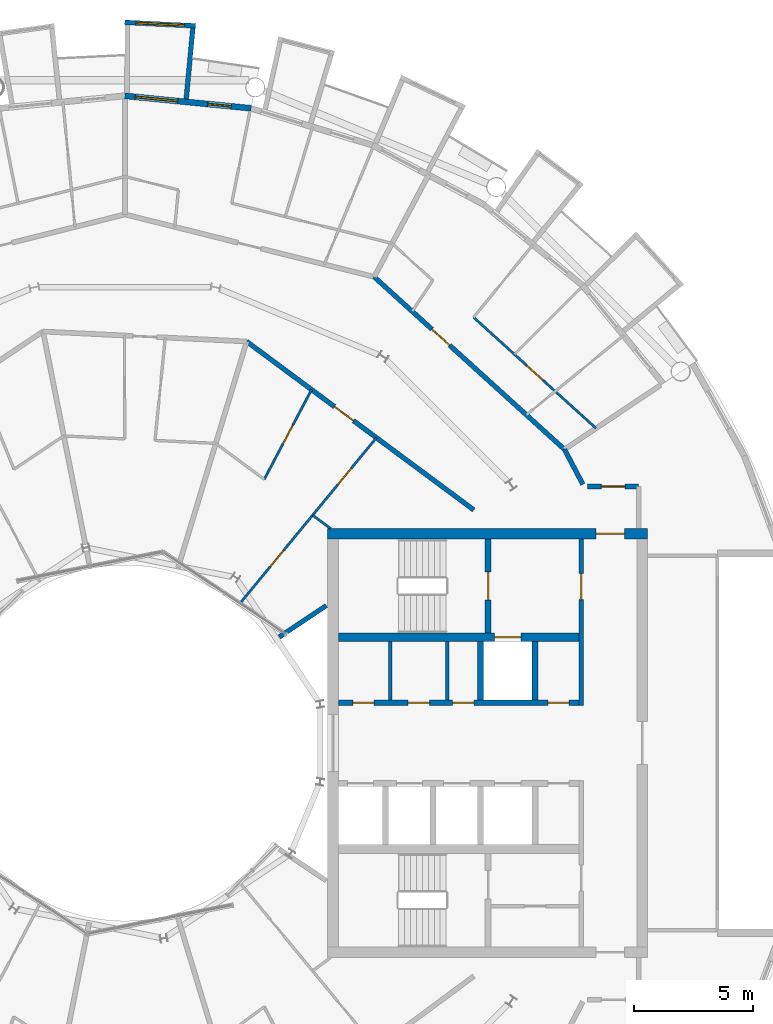
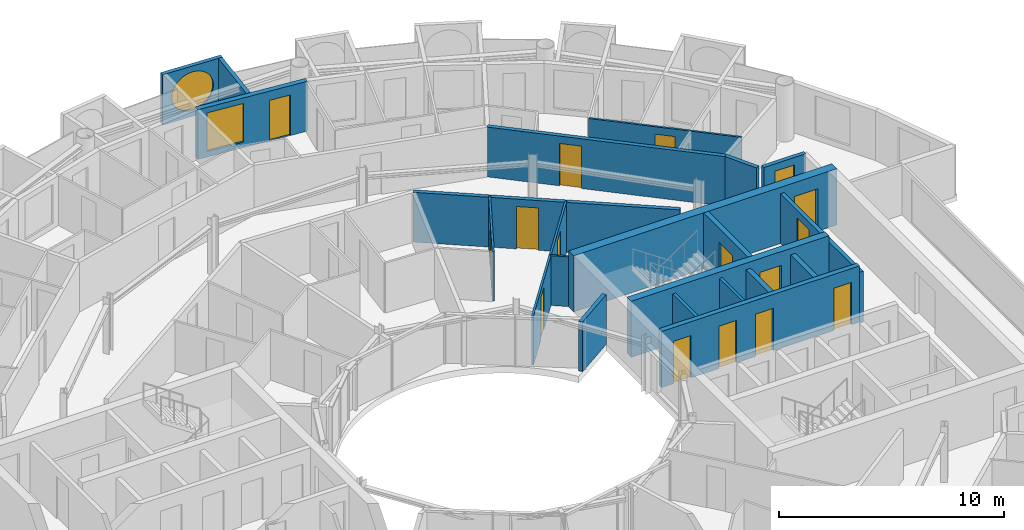
# One storey, part 23 of 29: 21 walls, 16 doors, 2 windows, 18 openings.
"""IFC4 building model written with IfcOpenShell, lengths in metres."""

from ifc_helpers import new_model, si_unit, direction, frame, frame_2d, origin, place, context, subcontext, project, spatial, rectangle, circle, extrude, material, layer, layer_set, type_object, element, fill, save


model = new_model("IFC4")

# Units and contexts
model_context = context("Model", 3, precision=1e-05, world=origin(), true_north=direction((0.0, 1.0)))
body_context = subcontext(model_context, "Body", "Model", "MODEL_VIEW")
ifc_project = project(units=[si_unit("LENGTHUNIT", "METRE"), si_unit("AREAUNIT", "SQUARE_METRE"), si_unit("VOLUMEUNIT", "CUBIC_METRE"), si_unit("PLANEANGLEUNIT", "RADIAN"), si_unit("MASSUNIT", "GRAM", prefix="KILO")], contexts=[model_context])

# Site, building, storey
site_placement = place(None, origin())
site = spatial("IfcSite", under=ifc_project, at=site_placement, CompositionType="ELEMENT")
building_placement = place(site_placement, origin())
building = spatial("IfcBuilding", under=site, at=building_placement, Name="Maasbend Ring Residences", CompositionType="ELEMENT")
storey_placement = place(building_placement, frame((0.0, 0.0, 190.199951171875)))
storey = spatial("IfcBuildingStorey", under=building, at=storey_placement, Name="L54", CompositionType="ELEMENT", Elevation=190.199951171875)

# Wall, openings, doors
ifc_material_1 = material(Name="Concrete C50/60", Category="concrete")
ifc_layer_1 = layer(ifc_material_1, 0.25)
ifc_layer_set_1 = layer_set([ifc_layer_1], Name="Concrete C50/60")
wall_type_1 = type_object("IfcWallType", Name="CORE WALL 250 C50/60", PredefinedType="SHEAR", material=ifc_layer_set_1)
wall_1_placement = place(storey_placement, frame((9.0, 1.699951171875, 0.0), z_axis=(0.0, 0.0, 1.0), x_axis=(1.0, 0.0, 0.0)))
wall_1 = element("IfcWall", 1, at=wall_1_placement, inside=storey, type_object=wall_type_1, Name="L54 core E wall SPN", PredefinedType="SHEAR", context=body_context, shape_type="SweptSolid", body=[
    extrude(rectangle(XDim=10.14990234375, YDim=0.25, at=frame_2d((5.074951171875, 0.0))), origin(), (0.0, 0.0, 1.0), 3.050048828125),
])
opening_1_placement = place(wall_1_placement, frame((0.612548828125, 0.0, 0.0)))
opening_1 = element("IfcOpeningElement", 2, at=opening_1_placement, cuts=wall_1, Name="Opening D-E5406", PredefinedType="OPENING", context=body_context, shape_type="SweptSolid", body=[
    extrude(rectangle(XDim=0.89990234375, YDim=2.300048828125, at=frame_2d((0.449951171875, 1.14990234375))), frame((0.0, 0.135009765625, 0.0), z_axis=(0.0, -1.0, 0.0), x_axis=(1.0, 0.0, 0.0)), (0.0, 0.0, 1.0), 0.27001953125),
])
opening_2_placement = place(wall_1_placement, frame((2.949951171875, 0.0, 0.0)))
opening_2 = element("IfcOpeningElement", 3, at=opening_2_placement, cuts=wall_1, Name="Opening D-E5407", PredefinedType="OPENING", context=body_context, shape_type="SweptSolid", body=[
    extrude(rectangle(XDim=0.89990234375, YDim=2.300048828125, at=frame_2d((0.449951171875, 1.14990234375))), frame((0.0, 0.135009765625, 0.0), z_axis=(0.0, -1.0, 0.0), x_axis=(1.0, 0.0, 0.0)), (0.0, 0.0, 1.0), 0.27001953125),
])
opening_3_placement = place(wall_1_placement, frame((4.824951171875, 0.0, 0.0)))
opening_3 = element("IfcOpeningElement", 4, at=opening_3_placement, cuts=wall_1, Name="Opening D-E5408", PredefinedType="OPENING", context=body_context, shape_type="SweptSolid", body=[
    extrude(rectangle(XDim=0.89990234375, YDim=2.300048828125, at=frame_2d((0.449951171875, 1.14990234375))), frame((0.0, 0.135009765625, 0.0), z_axis=(0.0, -1.0, 0.0), x_axis=(1.0, 0.0, 0.0)), (0.0, 0.0, 1.0), 0.27001953125),
])
opening_4_placement = place(wall_1_placement, frame((8.83740234375, 0.0, 0.0)))
opening_4 = element("IfcOpeningElement", 5, at=opening_4_placement, cuts=wall_1, Name="Opening D-E5409", PredefinedType="OPENING", context=body_context, shape_type="SweptSolid", body=[
    extrude(rectangle(XDim=0.89990234375, YDim=2.300048828125, at=frame_2d((0.449951171875, 1.14990234375))), frame((0.0, 0.135009765625, 0.0), z_axis=(0.0, -1.0, 0.0), x_axis=(1.0, 0.0, 0.0)), (0.0, 0.0, 1.0), 0.27001953125),
])
ifc_material_2 = material(Name="Steel, powder coated", Category="steel")
door_type_1 = type_object("IfcDoorType", Name="ROOM DOOR 900 X 2300 FD30S", OperationType="NOTDEFINED", PredefinedType="DOOR", material=ifc_material_2)
door_1_placement = place(opening_1_placement, origin())
door_1 = element("IfcDoor", 6, at=door_1_placement, inside=storey, type_object=door_type_1, Name="Room door L54", OperationType="SINGLE_SWING_RIGHT", OverallHeight=2.300048828125, OverallWidth=0.89990234375, PredefinedType="DOOR", context=body_context, shape_type="SweptSolid", body=[
    extrude(rectangle(XDim=0.89990234375, YDim=2.300048828125, at=frame_2d((0.449951171875, 1.14990234375))), frame((0.0, 0.02490234375, 0.0), z_axis=(0.0, -1.0, 0.0), x_axis=(1.0, 0.0, 0.0)), (0.0, 0.0, 1.0), 0.050048828125),
])
fill(opening_1, door_1)
door_2_placement = place(opening_2_placement, origin())
door_2 = element("IfcDoor", 7, at=door_2_placement, inside=storey, type_object=door_type_1, Name="Room door L54", OperationType="SINGLE_SWING_RIGHT", OverallHeight=2.300048828125, OverallWidth=0.89990234375, PredefinedType="DOOR", context=body_context, shape_type="SweptSolid", body=[
    extrude(rectangle(XDim=0.89990234375, YDim=2.300048828125, at=frame_2d((0.449951171875, 1.14990234375))), frame((0.0, 0.02490234375, 0.0), z_axis=(0.0, -1.0, 0.0), x_axis=(1.0, 0.0, 0.0)), (0.0, 0.0, 1.0), 0.050048828125),
])
fill(opening_2, door_2)
door_3_placement = place(opening_3_placement, origin())
door_3 = element("IfcDoor", 8, at=door_3_placement, inside=storey, type_object=door_type_1, Name="Room door L54", OperationType="SINGLE_SWING_LEFT", OverallHeight=2.300048828125, OverallWidth=0.89990234375, PredefinedType="DOOR", context=body_context, shape_type="SweptSolid", body=[
    extrude(rectangle(XDim=0.89990234375, YDim=2.300048828125, at=frame_2d((0.449951171875, 1.14990234375))), frame((0.0, 0.02490234375, 0.0), z_axis=(0.0, -1.0, 0.0), x_axis=(1.0, 0.0, 0.0)), (0.0, 0.0, 1.0), 0.050048828125),
])
fill(opening_3, door_3)
door_4_placement = place(opening_4_placement, origin())
door_4 = element("IfcDoor", 9, at=door_4_placement, inside=storey, type_object=door_type_1, Name="Room door L54", OperationType="SINGLE_SWING_LEFT", OverallHeight=2.300048828125, OverallWidth=0.89990234375, PredefinedType="DOOR", context=body_context, shape_type="SweptSolid", body=[
    extrude(rectangle(XDim=0.89990234375, YDim=2.300048828125, at=frame_2d((0.449951171875, 1.14990234375))), frame((0.0, 0.02490234375, 0.0), z_axis=(0.0, -1.0, 0.0), x_axis=(1.0, 0.0, 0.0)), (0.0, 0.0, 1.0), 0.050048828125),
])
fill(opening_4, door_4)

# Wall, opening, door
wall_2_placement = place(storey_placement, frame((15.324951171875, 4.64990234375, 0.0), z_axis=(0.0, 0.0, 1.0), x_axis=(0.0, 1.0, 0.0)))
wall_2 = element("IfcWall", 10, at=wall_2_placement, inside=storey, type_object=wall_type_1, Name="L54 core E wall STEN", PredefinedType="SHEAR", context=body_context, shape_type="SweptSolid", body=[
    extrude(rectangle(XDim=3.9501953125, YDim=0.25, at=frame_2d((1.97509765625, 0.0))), origin(), (0.0, 0.0, 1.0), 3.050048828125),
])
opening_5_placement = place(wall_2_placement, frame((1.375, 0.0, 0.0)))
opening_5 = element("IfcOpeningElement", 11, at=opening_5_placement, cuts=wall_2, Name="Opening D-E5412", PredefinedType="OPENING", context=body_context, shape_type="SweptSolid", body=[
    extrude(rectangle(XDim=1.199951171875, YDim=2.300048828125, at=frame_2d((0.60009765625, 1.14990234375))), frame((0.0, 0.135009765625, 0.0), z_axis=(0.0, -1.0, 0.0), x_axis=(1.0, 0.0, 0.0)), (0.0, 0.0, 1.0), 0.27001953125),
])
ifc_material_3 = material(Name="Steel, powder coated", Category="steel")
door_type_2 = type_object("IfcDoorType", Name="STAIR DOOR 1200 X 2300 FD60", OperationType="NOTDEFINED", PredefinedType="DOOR", material=ifc_material_3)
door_5_placement = place(opening_5_placement, origin())
door_5 = element("IfcDoor", 12, at=door_5_placement, inside=storey, type_object=door_type_2, Name="Stair door ST-E L54", OperationType="SINGLE_SWING_LEFT", OverallHeight=2.300048828125, OverallWidth=1.199951171875, PredefinedType="DOOR", context=body_context, shape_type="SweptSolid", body=[
    extrude(rectangle(XDim=1.199951171875, YDim=2.300048828125, at=frame_2d((0.60009765625, 1.14990234375))), frame((0.0, 0.02490234375, 0.0), z_axis=(0.0, -1.0, 0.0), x_axis=(1.0, 0.0, 0.0)), (0.0, 0.0, 1.0), 0.050048828125),
])
fill(opening_5, door_5)

ifc_material_4 = material(Name="Concrete C50/60", Category="concrete")
ifc_layer_2 = layer(ifc_material_4, 0.375)
ifc_layer_set_2 = layer_set([ifc_layer_2], Name="Concrete C50/60")
wall_type_2 = type_object("IfcWallType", Name="CORE WALL 375 C50/60", PredefinedType="SHEAR", material=ifc_layer_set_2)
wall_3_placement = place(storey_placement, frame((9.0, 4.46240234375, 0.0), z_axis=(0.0, 0.0, 1.0), x_axis=(1.0, 0.0, 0.0)))
wall_3 = element("IfcWall", 13, at=wall_3_placement, inside=storey, type_object=wall_type_2, Name="L54 core E wall BN", PredefinedType="SHEAR", context=body_context, shape_type="SweptSolid", body=[
    extrude(rectangle(XDim=10.14990234375, YDim=0.375, at=frame_2d((5.074951171875, 0.0))), origin(), (0.0, 0.0, 1.0), 3.050048828125),
])
opening_6_placement = place(wall_3_placement, frame((6.60009765625, 0.0, 0.0)))
opening_6 = element("IfcOpeningElement", 14, at=opening_6_placement, cuts=wall_3, Name="Opening LD-E5401", PredefinedType="OPENING", context=body_context, shape_type="SweptSolid", body=[
    extrude(rectangle(XDim=1.10009765625, YDim=2.300048828125, at=frame_2d((0.550048828125, 1.14990234375))), frame((0.0, 0.197509765625, 0.0), z_axis=(0.0, -1.0, 0.0), x_axis=(1.0, 0.0, 0.0)), (0.0, 0.0, 1.0), 0.39501953125),
])
ifc_material_5 = material(Name="Stainless steel 316", Category="steel")
door_type_3 = type_object("IfcDoorType", Name="LANDING DOOR 1100 X 2300 FD60", OperationType="DOUBLE_DOOR_SLIDING", PredefinedType="DOOR", material=ifc_material_5)
door_6_placement = place(opening_6_placement, origin())
door_6 = element("IfcDoor", 15, at=door_6_placement, inside=storey, type_object=door_type_3, Name="Landing door FF-E L54", OperationType="DOUBLE_DOOR_SLIDING", OverallHeight=2.300048828125, OverallWidth=1.10009765625, PredefinedType="DOOR", context=body_context, shape_type="SweptSolid", body=[
    extrude(rectangle(XDim=1.10009765625, YDim=2.300048828125, at=frame_2d((0.550048828125, 1.14990234375))), frame((0.0, 0.02490234375, 0.0), z_axis=(0.0, -1.0, 0.0), x_axis=(1.0, 0.0, 0.0)), (0.0, 0.0, 1.0), 0.050048828125),
])
fill(opening_6, door_6)

ifc_material_6 = material(Name="Concrete C50/60", Category="concrete")
ifc_layer_3 = layer(ifc_material_6, 0.449951171875)
ifc_layer_set_3 = layer_set([ifc_layer_3], Name="Concrete C50/60")
wall_type_3 = type_object("IfcWallType", Name="CORE WALL 450 C50/60", PredefinedType="SHEAR", material=ifc_layer_set_3)
wall_4_placement = place(storey_placement, frame((22.050048828125, 8.824951171875, 0.0), z_axis=(0.0, 0.0, 1.0), x_axis=(-1.0, 0.0, 0.0)))
wall_4 = element("IfcWall", 16, at=wall_4_placement, inside=storey, type_object=wall_type_3, Name="L54 core E wall PN", PredefinedType="SHEAR", context=body_context, shape_type="SweptSolid", body=[
    extrude(rectangle(XDim=13.5, YDim=0.449951171875, at=frame_2d((6.75, 0.0))), origin(), (0.0, 0.0, 1.0), 3.050048828125),
])
opening_7_placement = place(wall_4_placement, frame((0.97509765625, 0.0, 0.0)))
opening_7 = element("IfcOpeningElement", 17, at=opening_7_placement, cuts=wall_4, Name="Opening D-E5416", PredefinedType="OPENING", context=body_context, shape_type="SweptSolid", body=[
    extrude(rectangle(XDim=1.199951171875, YDim=2.300048828125, at=frame_2d((0.60009765625, 1.14990234375))), frame((0.0, 0.23486328125, 0.0), z_axis=(0.0, -1.0, 0.0), x_axis=(1.0, 0.0, 0.0)), (0.0, 0.0, 1.0), 0.469970703125),
])
ifc_material_7 = material(Name="Steel, powder coated", Category="steel")
door_type_4 = type_object("IfcDoorType", Name="CORRIDOR DOOR 1200 X 2300 FD30S", OperationType="NOTDEFINED", PredefinedType="DOOR", material=ifc_material_7)
door_7_placement = place(opening_7_placement, origin())
door_7 = element("IfcDoor", 18, at=door_7_placement, inside=storey, type_object=door_type_4, Name="Corridor door L54", OperationType="SINGLE_SWING_RIGHT", OverallHeight=2.300048828125, OverallWidth=1.199951171875, PredefinedType="DOOR", context=body_context, shape_type="SweptSolid", body=[
    extrude(rectangle(XDim=1.199951171875, YDim=2.300048828125, at=frame_2d((0.60009765625, 1.14990234375))), frame((0.0, 0.02490234375, 0.0), z_axis=(0.0, -1.0, 0.0), x_axis=(1.0, 0.0, 0.0)), (0.0, 0.0, 1.0), 0.050048828125),
])
fill(opening_7, door_7)

ifc_material_8 = material(Name="Concrete C30/37", Category="concrete")
ifc_layer_4 = layer(ifc_material_8, 0.199951171875)
ifc_layer_set_4 = layer_set([ifc_layer_4], Name="Concrete C30/37")
wall_type_4 = type_object("IfcWallType", Name="CORRIDOR WALL 200 CONCRETE", PredefinedType="PARTITIONING", material=ifc_layer_set_4)
wall_5_placement = place(storey_placement, frame((19.52294921875, 10.824951171875, 0.0), z_axis=(0.0, 0.0, 1.0), x_axis=(1.0, 0.0, 0.0)))
wall_5 = element("IfcWall", 19, at=wall_5_placement, inside=storey, type_object=wall_type_4, Name="U-L54-w094", PredefinedType="PARTITIONING", context=body_context, shape_type="SweptSolid", body=[
    extrude(rectangle(XDim=2.152099609375, YDim=0.199951171875, at=frame_2d((1.076171875, 0.0))), origin(), (0.0, 0.0, 1.0), 2.699951171875),
])
opening_8_placement = place(wall_5_placement, frame((0.575927734375, 0.0, 0.0)))
opening_8 = element("IfcOpeningElement", 20, at=opening_8_placement, cuts=wall_5, Name="Opening D-5474", PredefinedType="OPENING", context=body_context, shape_type="SweptSolid", body=[
    extrude(rectangle(XDim=1.0, YDim=2.300048828125, at=frame_2d((0.5, 1.14990234375))), frame((0.0, 0.10986328125, 0.0), z_axis=(0.0, -1.0, 0.0), x_axis=(1.0, 0.0, 0.0)), (0.0, 0.0, 1.0), 0.219970703125),
])
ifc_material_9 = material(Name="Timber, painted", Category="wood")
door_type_5 = type_object("IfcDoorType", Name="ROOM DOOR 1000 X 2300", OperationType="NOTDEFINED", PredefinedType="DOOR", material=ifc_material_9)
door_8_placement = place(opening_8_placement, origin())
door_8 = element("IfcDoor", 21, at=door_8_placement, inside=storey, type_object=door_type_5, Name="D-5474", OperationType="SINGLE_SWING_LEFT", OverallHeight=2.300048828125, OverallWidth=1.0, PredefinedType="DOOR", context=body_context, shape_type="SweptSolid", body=[
    extrude(rectangle(XDim=1.0, YDim=2.300048828125, at=frame_2d((0.5, 1.14990234375))), frame((0.0, 0.02490234375, 0.0), z_axis=(0.0, -1.0, 0.0), x_axis=(1.0, 0.0, 0.0)), (0.0, 0.0, 1.0), 0.050048828125),
])
fill(opening_8, door_8)

wall_6_placement = place(storey_placement, frame((5.136962890625, 16.93798828125, 0.0), z_axis=(0.0, 0.0, 1.0), x_axis=(0.803240181354, -0.595655278712, 0.0)))
wall_6 = element("IfcWall", 22, at=wall_6_placement, inside=storey, type_object=wall_type_4, Name="U-L54-w102", PredefinedType="PARTITIONING", context=body_context, shape_type="SweptSolid", body=[
    extrude(rectangle(XDim=11.927978515625, YDim=0.199951171875, at=frame_2d((5.9638671875, 0.0))), origin(), (0.0, 0.0, 1.0), 2.699951171875),
])
opening_9_placement = place(wall_6_placement, frame((4.612060546875, 0.0, 0.0)))
opening_9 = element("IfcOpeningElement", 23, at=opening_9_placement, cuts=wall_6, Name="Opening D-5425", PredefinedType="OPENING", context=body_context, shape_type="SweptSolid", body=[
    extrude(rectangle(XDim=1.0, YDim=2.300048828125, at=frame_2d((0.5, 1.14990234375))), frame((0.0, 0.10986328125, 0.0), z_axis=(0.0, -1.0, 0.0), x_axis=(1.0, 0.0, 0.0)), (0.0, 0.0, 1.0), 0.219970703125),
])
ifc_material_10 = material(Name="Timber, fire-rated, painted", Category="wood")
door_type_6 = type_object("IfcDoorType", Name="FLAT ENTRANCE DOOR 1000 X 2300 FIRE-RATED", OperationType="NOTDEFINED", PredefinedType="DOOR", material=ifc_material_10)
door_9_placement = place(opening_9_placement, origin())
door_9 = element("IfcDoor", 24, at=door_9_placement, inside=storey, type_object=door_type_6, Name="D-5425", OperationType="SINGLE_SWING_LEFT", OverallHeight=2.300048828125, OverallWidth=1.0, PredefinedType="DOOR", context=body_context, shape_type="SweptSolid", body=[
    extrude(rectangle(XDim=1.0, YDim=2.300048828125, at=frame_2d((0.5, 1.14990234375))), frame((0.0, 0.02490234375, 0.0), z_axis=(0.0, -1.0, 0.0), x_axis=(1.0, 0.0, 0.0)), (0.0, 0.0, 1.0), 0.050048828125),
])
fill(opening_9, door_9)

wall_7_placement = place(storey_placement, frame((10.511962890625, 19.6669921875, 0.0), z_axis=(0.0, 0.0, 1.0), x_axis=(0.740853508928, -0.671666642248, 0.0)))
wall_7 = element("IfcWall", 25, at=wall_7_placement, inside=storey, type_object=wall_type_4, Name="U-L54-w107", PredefinedType="PARTITIONING", context=body_context, shape_type="SweptSolid", body=[
    extrude(rectangle(XDim=10.840087890625, YDim=0.199951171875, at=frame_2d((5.419921875, 0.0))), origin(), (0.0, 0.0, 1.0), 2.699951171875),
])
opening_10_placement = place(wall_7_placement, frame((3.29296875, 0.0, 0.0)))
opening_10 = element("IfcOpeningElement", 26, at=opening_10_placement, cuts=wall_7, Name="Opening D-5401", PredefinedType="OPENING", context=body_context, shape_type="SweptSolid", body=[
    extrude(rectangle(XDim=1.0, YDim=2.300048828125, at=frame_2d((0.5, 1.14990234375))), frame((0.0, 0.10986328125, 0.0), z_axis=(0.0, -1.0, 0.0), x_axis=(1.0, 0.0, 0.0)), (0.0, 0.0, 1.0), 0.219970703125),
])
door_10_placement = place(opening_10_placement, origin())
door_10 = element("IfcDoor", 27, at=door_10_placement, inside=storey, type_object=door_type_6, Name="D-5401", OperationType="SINGLE_SWING_LEFT", OverallHeight=2.300048828125, OverallWidth=1.0, PredefinedType="DOOR", context=body_context, shape_type="SweptSolid", body=[
    extrude(rectangle(XDim=1.0, YDim=2.300048828125, at=frame_2d((0.5, 1.14990234375))), frame((0.0, 0.02490234375, 0.0), z_axis=(0.0, -1.0, 0.0), x_axis=(1.0, 0.0, 0.0)), (0.0, 0.0, 1.0), 0.050048828125),
])
fill(opening_10, door_10)

# Wall
wall_8_placement = place(storey_placement, frame((18.5419921875, 12.388916015625, 0.0), z_axis=(0.0, 0.0, 1.0), x_axis=(0.465359652486, -0.885121683068, 0.0)))
element("IfcWall", 28, at=wall_8_placement, inside=storey, type_object=wall_type_4, Name="U-L54-w111", PredefinedType="PARTITIONING", context=body_context, shape_type="SweptSolid", body=[
    extrude(rectangle(XDim=1.665283203125, YDim=0.199951171875, at=frame_2d((0.83251953125, 0.0))), origin(), (0.0, 0.0, 1.0), 2.699951171875),
])

# Wall, opening, window
ifc_material_11 = material(Name="Pale anodised aluminium panel", Category="aluminium")
ifc_layer_5 = layer(ifc_material_11, 0.199951171875)
ifc_layer_set_5 = layer_set([ifc_layer_5], Name="EW-BOX")
wall_type_5 = type_object("IfcWallType", Name="EW-BOX", PredefinedType="SOLIDWALL", material=ifc_layer_set_5)
wall_9_placement = place(storey_placement, frame((2.985107421875, 30.2529296875, -0.030029296875), z_axis=(0.0, 0.0, 1.0), x_axis=(-0.998794083011, 0.049095618353, 0.0)))
wall_9 = element("IfcWall", 29, at=wall_9_placement, inside=storey, type_object=wall_type_5, Name="Box front N10", PredefinedType="SOLIDWALL", context=body_context, shape_type="SweptSolid", body=[
    extrude(rectangle(XDim=2.99365234375, YDim=0.199951171875, at=frame_2d((1.496826171875, 0.0))), origin(), (0.0, 0.0, 1.0), 2.72998046875),
])
opening_11_placement = place(wall_9_placement, frame((0.45654296875, 0.0, 0.330078125)))
opening_11 = element("IfcOpeningElement", 30, at=opening_11_placement, cuts=wall_9, Name="Opening W-RD", PredefinedType="OPENING", context=body_context, shape_type="SweptSolid", body=[
    extrude(circle(Radius=1.0400390625, at=frame_2d((1.0400390625, 1.0400390625))), frame((0.0, 0.10986328125, 0.0), z_axis=(0.0, -1.0, 0.0), x_axis=(1.0, 0.0, 0.0)), (0.0, 0.0, 1.0), 0.219970703125),
])
ifc_material_12 = material(Name="Aluminium and clear glass", Category="aluminium")
window_type_1 = type_object("IfcWindowType", Name="W-RD", PartitioningType="SINGLE_PANEL", PredefinedType="WINDOW", material=ifc_material_12)
window_1_placement = place(opening_11_placement, origin())
window_1 = element("IfcWindow", 31, at=window_1_placement, inside=storey, type_object=window_type_1, Name="Round window N10", OverallHeight=2.080078125, OverallWidth=2.080078125, PartitioningType="SINGLE_PANEL", PredefinedType="WINDOW", context=body_context, shape_type="SweptSolid", body=[
    extrude(circle(Radius=1.0400390625, at=frame_2d((1.0400390625, 1.0400390625))), frame((0.0, 0.030029296875, 0.0), z_axis=(0.0, -1.0, 0.0), x_axis=(1.0, 0.0, 0.0)), (0.0, 0.0, 1.0), 0.06005859375),
])
fill(opening_11, window_1)

# Wall
wall_10_placement = place(storey_placement, frame((2.5859375, 27.1708984375, -0.030029296875), z_axis=(0.0, 0.0, 1.0), x_axis=(0.094548432284, 0.995520262954, 0.0)))
element("IfcWall", 32, at=wall_10_placement, inside=storey, type_object=wall_type_5, Name="Box side wall N10 left", PredefinedType="SOLIDWALL", context=body_context, shape_type="SweptSolid", body=[
    extrude(rectangle(XDim=3.005615234375, YDim=0.199951171875, at=frame_2d((1.5029296875, 0.0))), origin(), (0.0, 0.0, 1.0), 2.72998046875),
])

# Wall, openings, door, window
ifc_material_13 = material(Name="Aluminium clad insulated panel", Category="aluminium")
ifc_layer_6 = layer(ifc_material_13, 0.25)
ifc_layer_set_6 = layer_set([ifc_layer_6], Name="EW-GL")
wall_type_6 = type_object("IfcWallType", Name="EW-GL", PredefinedType="SOLIDWALL", material=ifc_layer_set_6)
wall_11_placement = place(storey_placement, frame((5.325927734375, 26.77490234375, 0.0), z_axis=(0.0, 0.0, 1.0), x_axis=(-0.995173996315, 0.098126026407, 0.0)))
wall_11 = element("IfcWall", 33, at=wall_11_placement, inside=storey, type_object=wall_type_6, Name="External wall N05", PredefinedType="SOLIDWALL", context=body_context, shape_type="SweptSolid", body=[
    extrude(rectangle(XDim=5.351806640625, YDim=0.25, at=frame_2d((2.67578125, 0.0))), origin(), (0.0, 0.0, 1.0), 2.699951171875),
])
opening_12_placement = place(wall_11_placement, frame((0.841064453125, 0.0, 0.0)))
opening_12 = element("IfcOpeningElement", 34, at=opening_12_placement, cuts=wall_11, Name="Opening D-LG", PredefinedType="OPENING", context=body_context, shape_type="SweptSolid", body=[
    extrude(rectangle(XDim=1.0, YDim=2.199951171875, at=frame_2d((0.5, 1.10009765625))), frame((0.0, 0.135009765625, 0.0), z_axis=(0.0, -1.0, 0.0), x_axis=(1.0, 0.0, 0.0)), (0.0, 0.0, 1.0), 0.27001953125),
])
opening_13_placement = place(wall_11_placement, frame((3.110595703125, 0.0, 0.300048828125)))
opening_13 = element("IfcOpeningElement", 35, at=opening_13_placement, cuts=wall_11, Name="Opening W-BX", PredefinedType="OPENING", context=body_context, shape_type="SweptSolid", body=[
    extrude(rectangle(XDim=1.800048828125, YDim=2.10009765625, at=frame_2d((0.89990234375, 1.050048828125))), frame((0.0, 0.135009765625, 0.0), z_axis=(0.0, -1.0, 0.0), x_axis=(1.0, 0.0, 0.0)), (0.0, 0.0, 1.0), 0.27001953125),
])
ifc_material_14 = material(Name="Aluminium and clear glass", Category="aluminium")
door_type_7 = type_object("IfcDoorType", Name="D-LG", OperationType="SINGLE_SWING_LEFT", PredefinedType="DOOR", material=ifc_material_14)
door_11_placement = place(opening_12_placement, origin())
door_11 = element("IfcDoor", 36, at=door_11_placement, inside=storey, type_object=door_type_7, Name="Loggia door N09", OperationType="SINGLE_SWING_LEFT", OverallHeight=2.199951171875, OverallWidth=1.0, PredefinedType="DOOR", context=body_context, shape_type="SweptSolid", body=[
    extrude(rectangle(XDim=1.0, YDim=2.199951171875, at=frame_2d((0.5, 1.10009765625))), frame((0.0, 0.02490234375, 0.0), z_axis=(0.0, -1.0, 0.0), x_axis=(1.0, 0.0, 0.0)), (0.0, 0.0, 1.0), 0.050048828125),
])
fill(opening_12, door_11)
ifc_material_15 = material(Name="Aluminium and clear glass", Category="aluminium")
window_type_2 = type_object("IfcWindowType", Name="W-BX", PartitioningType="DOUBLE_PANEL_VERTICAL", PredefinedType="WINDOW", material=ifc_material_15)
window_2_placement = place(opening_13_placement, origin())
window_2 = element("IfcWindow", 37, at=window_2_placement, inside=storey, type_object=window_type_2, Name="Window N10 room to box", OverallHeight=2.10009765625, OverallWidth=1.800048828125, PartitioningType="SINGLE_PANEL", PredefinedType="WINDOW", context=body_context, shape_type="SweptSolid", body=[
    extrude(rectangle(XDim=1.800048828125, YDim=2.10009765625, at=frame_2d((0.89990234375, 1.050048828125))), frame((0.0, 0.030029296875, 0.0), z_axis=(0.0, -1.0, 0.0), x_axis=(1.0, 0.0, 0.0)), (0.0, 0.0, 1.0), 0.06005859375),
])
fill(opening_13, window_2)

# Wall, openings, doors
ifc_material_16 = material(Name="Gypsum board on steel studs", Category="steel")
ifc_layer_7 = layer(ifc_material_16, 0.10009765625)
ifc_layer_set_7 = layer_set([ifc_layer_7], Name="PARTITION 100 GYPSUM")
wall_type_7 = type_object("IfcWallType", Name="PARTITION 100 GYPSUM", PredefinedType="PARTITIONING", material=ifc_layer_set_7)
wall_12_placement = place(storey_placement, frame((4.908935546875, 5.9580078125, 0.0), z_axis=(0.0, 0.0, 1.0), x_axis=(0.635879010442, 0.771788756124, 0.0)))
wall_12 = element("IfcWall", 38, at=wall_12_placement, inside=storey, type_object=wall_type_7, Name="U-L54-w073", PredefinedType="PARTITIONING", context=body_context, shape_type="SweptSolid", body=[
    extrude(rectangle(XDim=8.96728515625, YDim=0.10009765625, at=frame_2d((4.483642578125, 0.0))), origin(), (0.0, 0.0, 1.0), 2.699951171875),
])
opening_14_placement = place(wall_12_placement, frame((6.39990234375, 0.0, 0.0)))
opening_14 = element("IfcOpeningElement", 39, at=opening_14_placement, cuts=wall_12, Name="Opening D-5427", PredefinedType="OPENING", context=body_context, shape_type="SweptSolid", body=[
    extrude(rectangle(XDim=0.89990234375, YDim=2.300048828125, at=frame_2d((0.449951171875, 1.14990234375))), frame((0.0, 0.06005859375, 0.0), z_axis=(0.0, -1.0, 0.0), x_axis=(1.0, 0.0, 0.0)), (0.0, 0.0, 1.0), 0.1201171875),
])
opening_15_placement = place(wall_12_placement, frame((1.9169921875, 0.0, 0.0)))
opening_15 = element("IfcOpeningElement", 40, at=opening_15_placement, cuts=wall_12, Name="Opening D-5428", PredefinedType="OPENING", context=body_context, shape_type="SweptSolid", body=[
    extrude(rectangle(XDim=0.89990234375, YDim=2.300048828125, at=frame_2d((0.449951171875, 1.14990234375))), frame((0.0, 0.06005859375, 0.0), z_axis=(0.0, -1.0, 0.0), x_axis=(1.0, 0.0, 0.0)), (0.0, 0.0, 1.0), 0.1201171875),
])
ifc_material_17 = material(Name="Timber, painted", Category="wood")
door_type_8 = type_object("IfcDoorType", Name="INTERNAL DOOR 900 X 2300", OperationType="NOTDEFINED", PredefinedType="DOOR", material=ifc_material_17)
door_12_placement = place(opening_14_placement, origin())
door_12 = element("IfcDoor", 41, at=door_12_placement, inside=storey, type_object=door_type_8, Name="D-5427", OperationType="SINGLE_SWING_RIGHT", OverallHeight=2.300048828125, OverallWidth=0.89990234375, PredefinedType="DOOR", context=body_context, shape_type="SweptSolid", body=[
    extrude(rectangle(XDim=0.89990234375, YDim=2.300048828125, at=frame_2d((0.449951171875, 1.14990234375))), frame((0.0, 0.02490234375, 0.0), z_axis=(0.0, -1.0, 0.0), x_axis=(1.0, 0.0, 0.0)), (0.0, 0.0, 1.0), 0.050048828125),
])
fill(opening_14, door_12)
door_13_placement = place(opening_15_placement, origin())
door_13 = element("IfcDoor", 42, at=door_13_placement, inside=storey, type_object=door_type_8, Name="D-5428", OperationType="SINGLE_SWING_LEFT", OverallHeight=2.300048828125, OverallWidth=0.89990234375, PredefinedType="DOOR", context=body_context, shape_type="SweptSolid", body=[
    extrude(rectangle(XDim=0.89990234375, YDim=2.300048828125, at=frame_2d((0.449951171875, 1.14990234375))), frame((0.0, 0.02490234375, 0.0), z_axis=(0.0, -1.0, 0.0), x_axis=(1.0, 0.0, 0.0)), (0.0, 0.0, 1.0), 0.050048828125),
])
fill(opening_15, door_13)

# Wall, opening, door
wall_13_placement = place(storey_placement, frame((5.876953125, 11.125, 0.0), z_axis=(0.0, 0.0, 1.0), x_axis=(0.467030118529, 0.884241408432, 0.0)))
wall_13 = element("IfcWall", 43, at=wall_13_placement, inside=storey, type_object=wall_type_7, Name="U-L54-w075", PredefinedType="PARTITIONING", context=body_context, shape_type="SweptSolid", body=[
    extrude(rectangle(XDim=4.278076171875, YDim=0.10009765625, at=frame_2d((2.13916015625, 0.0))), origin(), (0.0, 0.0, 1.0), 2.699951171875),
])
opening_16_placement = place(wall_13_placement, frame((1.68896484375, 0.0, 0.0)))
opening_16 = element("IfcOpeningElement", 44, at=opening_16_placement, cuts=wall_13, Name="Opening D-5426", PredefinedType="OPENING", context=body_context, shape_type="SweptSolid", body=[
    extrude(rectangle(XDim=0.89990234375, YDim=2.300048828125, at=frame_2d((0.449951171875, 1.14990234375))), frame((0.0, 0.06005859375, 0.0), z_axis=(0.0, -1.0, 0.0), x_axis=(1.0, 0.0, 0.0)), (0.0, 0.0, 1.0), 0.1201171875),
])
door_14_placement = place(opening_16_placement, origin())
door_14 = element("IfcDoor", 45, at=door_14_placement, inside=storey, type_object=door_type_8, Name="D-5426", OperationType="SINGLE_SWING_RIGHT", OverallHeight=2.300048828125, OverallWidth=0.89990234375, PredefinedType="DOOR", context=body_context, shape_type="SweptSolid", body=[
    extrude(rectangle(XDim=0.89990234375, YDim=2.300048828125, at=frame_2d((0.449951171875, 1.14990234375))), frame((0.0, 0.02490234375, 0.0), z_axis=(0.0, -1.0, 0.0), x_axis=(1.0, 0.0, 0.0)), (0.0, 0.0, 1.0), 0.050048828125),
])
fill(opening_16, door_14)

# Wall
wall_14_placement = place(storey_placement, frame((7.922119140625, 9.60888671875, 0.0), z_axis=(0.0, 0.0, 1.0), x_axis=(0.802974061841, -0.596013972999, 0.0)))
element("IfcWall", 46, at=wall_14_placement, inside=storey, type_object=wall_type_7, Name="U-L54-w098", PredefinedType="PARTITIONING", context=body_context, shape_type="SweptSolid", body=[
    extrude(rectangle(XDim=0.942626953125, YDim=0.10009765625, at=frame_2d((0.47119140625, 0.0))), origin(), (0.0, 0.0, 1.0), 2.699951171875),
])

# Wall, opening, door
wall_15_placement = place(storey_placement, frame((14.708984375, 17.9580078125, 0.0), z_axis=(0.0, 0.0, 1.0), x_axis=(0.740923753351, -0.671589153962, 0.0)))
wall_15 = element("IfcWall", 47, at=wall_15_placement, inside=storey, type_object=wall_type_7, Name="U-L54-w119", PredefinedType="PARTITIONING", context=body_context, shape_type="SweptSolid", body=[
    extrude(rectangle(XDim=6.968505859375, YDim=0.10009765625, at=frame_2d((3.484375, 0.0))), origin(), (0.0, 0.0, 1.0), 2.699951171875),
])
opening_17_placement = place(wall_15_placement, frame((3.033935546875, 0.0, 0.0)))
opening_17 = element("IfcOpeningElement", 48, at=opening_17_placement, cuts=wall_15, Name="Opening D-5405", PredefinedType="OPENING", context=body_context, shape_type="SweptSolid", body=[
    extrude(rectangle(XDim=0.89990234375, YDim=2.300048828125, at=frame_2d((0.449951171875, 1.14990234375))), frame((0.0, 0.06005859375, 0.0), z_axis=(0.0, -1.0, 0.0), x_axis=(1.0, 0.0, 0.0)), (0.0, 0.0, 1.0), 0.1201171875),
])
door_15_placement = place(opening_17_placement, origin())
door_15 = element("IfcDoor", 49, at=door_15_placement, inside=storey, type_object=door_type_8, Name="D-5405", OperationType="SINGLE_SWING_LEFT", OverallHeight=2.300048828125, OverallWidth=0.89990234375, PredefinedType="DOOR", context=body_context, shape_type="SweptSolid", body=[
    extrude(rectangle(XDim=0.89990234375, YDim=2.300048828125, at=frame_2d((0.449951171875, 1.14990234375))), frame((0.0, 0.02490234375, 0.0), z_axis=(0.0, -1.0, 0.0), x_axis=(1.0, 0.0, 0.0)), (0.0, 0.0, 1.0), 0.050048828125),
])
fill(opening_17, door_15)

# Walls
ifc_material_18 = material(Name="Gypsum board on steel studs", Category="steel")
ifc_layer_8 = layer(ifc_material_18, 0.14990234375)
ifc_layer_set_8 = layer_set([ifc_layer_8], Name="PARTITION 150 EI 60")
wall_type_8 = type_object("IfcWallType", Name="PARTITION 150 EI 60", PredefinedType="PARTITIONING", material=ifc_layer_set_8)
for number, where, z_axis, x_axis, name in (
    (50, (11.199951171875, 1.824951171875, 0.0), (0.0, 0.0, 1.0), (0.0, 1.0, 0.0), "L54 core E wall PRN1120"),
    (51, (13.60009765625, 1.824951171875, 0.0), (0.0, 0.0, 1.0), (0.0, 1.0, 0.0), "L54 core E wall PRN1360"),
):
    element("IfcWall", number, at=place(storey_placement, frame(where, z_axis=z_axis, x_axis=x_axis)), inside=storey, type_object=wall_type_8, Name=name, PredefinedType="PARTITIONING", context=body_context, shape_type="SweptSolid", body=[
        extrude(rectangle(XDim=2.449951171875, YDim=0.14990234375, at=frame_2d((1.22509765625, 0.0))), origin(), (0.0, 0.0, 1.0), 2.699951171875),
    ])
ifc_material_19 = material(Name="Concrete C30/37", Category="concrete")
ifc_layer_9 = layer(ifc_material_19, 0.199951171875)
ifc_layer_set_9 = layer_set([ifc_layer_9], Name="Concrete C30/37")
wall_type_9 = type_object("IfcWallType", Name="PARTY WALL 200 CONCRETE", PredefinedType="PARTITIONING", material=ifc_layer_set_9)
wall_16_placement = place(storey_placement, frame((6.512939453125, 4.471923828125, 0.0), z_axis=(0.0, 0.0, 1.0), x_axis=(0.831403409976, 0.555669299026, 0.0)))
element("IfcWall", 52, at=wall_16_placement, inside=storey, type_object=wall_type_9, Name="U-L54-w092", PredefinedType="PARTITIONING", context=body_context, shape_type="SweptSolid", body=[
    extrude(rectangle(XDim=2.382568359375, YDim=0.199951171875, at=frame_2d((1.19140625, 0.0))), origin(), (0.0, 0.0, 1.0), 2.699951171875),
])

# Wall, opening, door
ifc_material_20 = material(Name="Concrete C30/37", Category="concrete")
ifc_layer_10 = layer(ifc_material_20, 0.199951171875)
ifc_layer_set_10 = layer_set([ifc_layer_10], Name="Concrete C30/37")
wall_type_10 = type_object("IfcWallType", Name="SHAFT WALL 200 EI 120", PredefinedType="SOLIDWALL", material=ifc_layer_set_10)
wall_17_placement = place(storey_placement, frame((19.25, 1.574951171875, 0.0), z_axis=(0.0, 0.0, 1.0), x_axis=(0.0, 1.0, 0.0)))
wall_17 = element("IfcWall", 53, at=wall_17_placement, inside=storey, type_object=wall_type_10, Name="L54 core E wall ENDN", PredefinedType="SOLIDWALL", context=body_context, shape_type="SweptSolid", body=[
    extrude(rectangle(XDim=7.025146484375, YDim=0.199951171875, at=frame_2d((3.5126953125, 0.0))), origin(), (0.0, 0.0, 1.0), 2.699951171875),
])
opening_18_placement = place(wall_17_placement, frame((4.47509765625, 0.0, 0.0)))
opening_18 = element("IfcOpeningElement", 54, at=opening_18_placement, cuts=wall_17, Name="Opening D-E5414", PredefinedType="OPENING", context=body_context, shape_type="SweptSolid", body=[
    extrude(rectangle(XDim=1.10009765625, YDim=2.300048828125, at=frame_2d((0.550048828125, 1.14990234375))), frame((0.0, 0.10986328125, 0.0), z_axis=(0.0, -1.0, 0.0), x_axis=(1.0, 0.0, 0.0)), (0.0, 0.0, 1.0), 0.219970703125),
])
ifc_material_21 = material(Name="Steel, powder coated", Category="steel")
door_type_9 = type_object("IfcDoorType", Name="LOBBY DOOR 1100 X 2300 FD60", OperationType="NOTDEFINED", PredefinedType="DOOR", material=ifc_material_21)
door_16_placement = place(opening_18_placement, origin())
door_16 = element("IfcDoor", 55, at=door_16_placement, inside=storey, type_object=door_type_9, Name="Lobby door L54", OperationType="SINGLE_SWING_LEFT", OverallHeight=2.300048828125, OverallWidth=1.10009765625, PredefinedType="DOOR", context=body_context, shape_type="SweptSolid", body=[
    extrude(rectangle(XDim=1.10009765625, YDim=2.300048828125, at=frame_2d((0.550048828125, 1.14990234375))), frame((0.0, 0.02490234375, 0.0), z_axis=(0.0, -1.0, 0.0), x_axis=(1.0, 0.0, 0.0)), (0.0, 0.0, 1.0), 0.050048828125),
])
fill(opening_18, door_16)

# Walls
ifc_material_22 = material(Name="Concrete C30/37", Category="concrete")
ifc_layer_11 = layer(ifc_material_22, 0.25)
ifc_layer_set_11 = layer_set([ifc_layer_11], Name="Concrete C30/37")
wall_type_11 = type_object("IfcWallType", Name="SHAFT WALL 250 EI 120", PredefinedType="SOLIDWALL", material=ifc_layer_set_11)
for number, where, z_axis, x_axis, name in (
    (56, (15.0, 1.824951171875, 0.0), (0.0, 0.0, 1.0), (0.0, 1.0, 0.0), "L54 core E wall D150N"),
    (57, (17.300048828125, 1.824951171875, 0.0), (0.0, 0.0, 1.0), (0.0, 1.0, 0.0), "L54 core E wall D173N"),
):
    element("IfcWall", number, at=place(storey_placement, frame(where, z_axis=z_axis, x_axis=x_axis)), inside=storey, type_object=wall_type_11, Name=name, PredefinedType="SOLIDWALL", context=body_context, shape_type="SweptSolid", body=[
        extrude(rectangle(XDim=2.449951171875, YDim=0.25, at=frame_2d((1.22509765625, 0.0))), origin(), (0.0, 0.0, 1.0), 2.699951171875),
    ])

save(model, "model.ifc")
